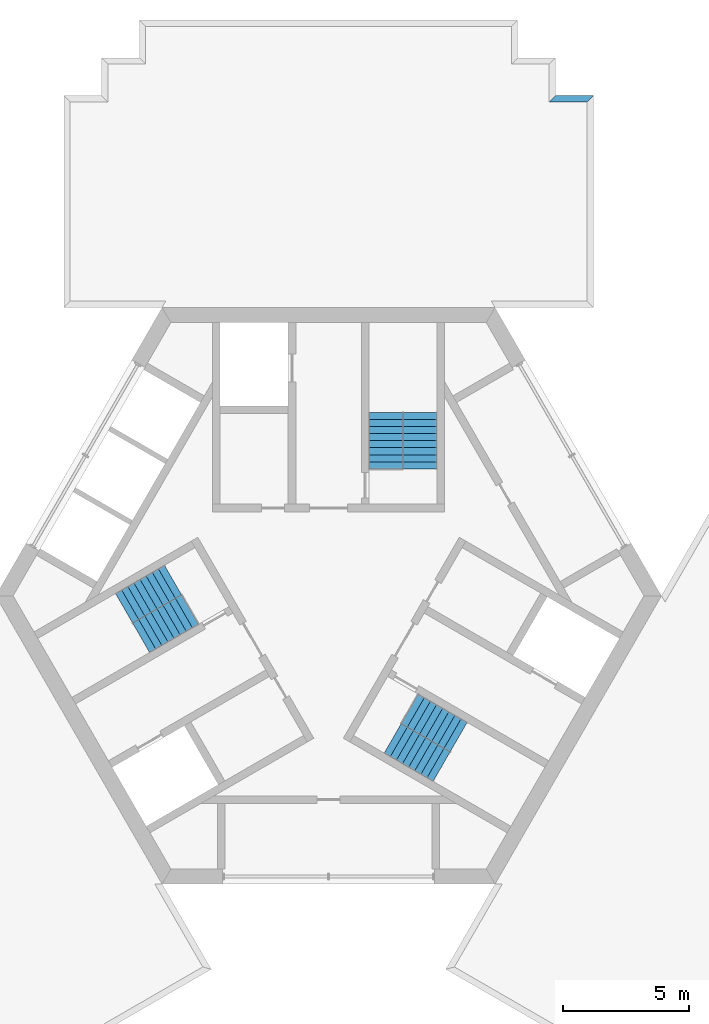
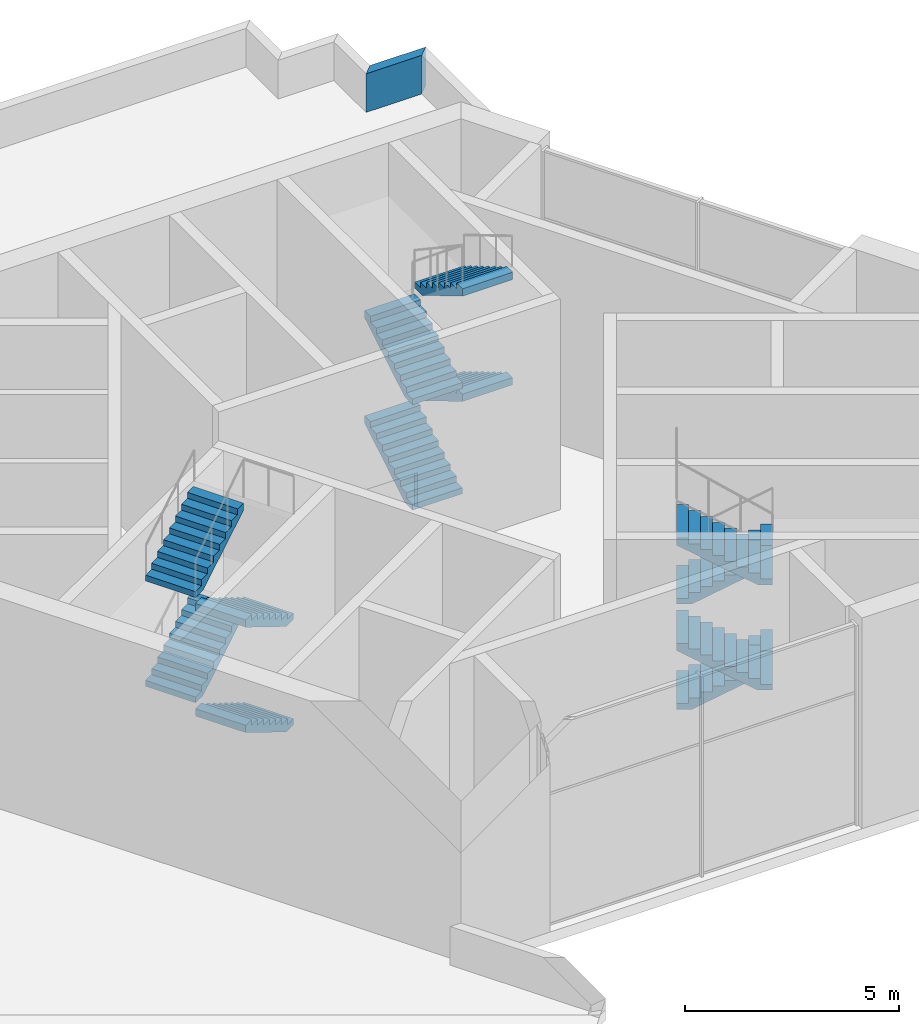
# One storey, part 4 of 5: 12 stair flights, 1 wall, 3 elements without a shape of their own.
"""IFC4 building model written with IfcOpenShell, lengths in metres."""

from ifc_helpers import new_model, si_unit, direction, frame, origin, place, context, subcontext, project, spatial, polyline, outline, extrude, material, layer, layer_set, type_object, element, aggregate, save


model = new_model("IFC4")

# Units and contexts
model_context = context("Model", 3, precision=1e-05, world=origin(), true_north=direction((0.0, 1.0)))
body_context = subcontext(model_context, "Body", "Model", "MODEL_VIEW")
ifc_project = project(units=[si_unit("LENGTHUNIT", "METRE"), si_unit("AREAUNIT", "SQUARE_METRE"), si_unit("VOLUMEUNIT", "CUBIC_METRE"), si_unit("PLANEANGLEUNIT", "RADIAN"), si_unit("MASSUNIT", "GRAM", prefix="KILO")], contexts=[model_context])

# Site, building, storey
site_placement = place(None, origin())
site = spatial("IfcSite", under=ifc_project, at=site_placement, CompositionType="ELEMENT")
building_placement = place(site_placement, origin())
building = spatial("IfcBuilding", under=site, at=building_placement, Name="Impinga Residences", CompositionType="ELEMENT")
storey_placement = place(building_placement, frame((0.0, 0.0, 295.75)))
storey = spatial("IfcBuildingStorey", under=building, at=storey_placement, Name="L74", CompositionType="ELEMENT", Elevation=295.75)

# Wall
ifc_material_1 = material(Name="Concrete C60/75", Category="concrete")
ifc_layer = layer(ifc_material_1, 0.25)
ifc_layer_set = layer_set([ifc_layer], Name="Concrete C60/75")
wall_type = type_object("IfcWallType", Name="PA1 roof parapet 250", PredefinedType="PARAPET", material=ifc_layer_set)
wall_placement = place(storey_placement, origin())
element("IfcWall", 1, at=wall_placement, inside=storey, type_object=wall_type, Name="Parapet PA1 L74", PredefinedType="PARAPET", context=body_context, shape_type="SweptSolid", body=[
    extrude(outline(polyline([(9.0, 19.83154296875), (10.5, 19.83154296875), (10.25, 19.58154296875), (8.75, 19.58154296875), (9.0, 19.83154296875)])), origin(), (0.0, 0.0, 1.0), 1.10009765625),
])

# Stair, stair flights
ifc_material_2 = material(Name="Concrete C40/50", Category="concrete")
stair_type = type_object("IfcStairType", Name="STR core stair 6000 storey, 36 risers", PredefinedType="HALF_TURN_STAIR", material=ifc_material_2)
stair_1_placement = place(storey_placement, origin())
stair_1 = element("IfcStair", 2, at=stair_1_placement, inside=storey, type_object=stair_type, Name="Stair ST1 L74", PredefinedType="HALF_TURN_STAIR")
stair_flight_type = type_object("IfcStairFlightType", Name="SF 9 risers of 167", PredefinedType="STRAIGHT", material=ifc_material_2)
stair_flight_1_placement = place(storey_placement, frame((2.27490234375, 5.030029296875, 0.0), z_axis=(0.0, 0.0, 1.0), x_axis=(0.0, 1.0, 0.0)))
stair_flight_1 = element("IfcStairFlight", 3, at=stair_flight_1_placement, type_object=stair_flight_type, Name="ST1 flight 1", NumberOfRisers=9, NumberOfTreads=8, PredefinedType="STRAIGHT", RiserHeight=0.166666667, TreadLength=0.28, context=body_context, shape_type="SweptSolid", body=[
    extrude(outline(polyline([(0.0, 0.0), (0.0, 0.166748046875), (0.280029296875, 0.166748046875), (0.280029296875, 0.333251953125), (0.56005859375, 0.333251953125), (0.56005859375, 0.5), (0.840087890625, 0.5), (0.840087890625, 0.666748046875), (1.1201171875, 0.666748046875), (1.1201171875, 0.833251953125), (1.39990234375, 0.833251953125), (1.39990234375, 1.0), (1.679931640625, 1.0), (1.679931640625, 1.166748046875), (1.9599609375, 1.166748046875), (1.9599609375, 1.333251953125), (2.239990234375, 1.333251953125), (2.239990234375, 1.5), (2.239990234375, 1.1240234375), (0.351806640625, 0.0), (0.0, 0.0)])), frame((0.0, 0.675048828125, 0.0), z_axis=(0.0, -1.0, 0.0), x_axis=(1.0, 0.0, 0.0)), (0.0, 0.0, 1.0), 1.35009765625),
])
stair_flight_2_placement = place(storey_placement, frame((3.625, 7.27001953125, 1.5), z_axis=(0.0, 0.0, 1.0), x_axis=(0.0, -1.0, 0.0)))
stair_flight_2 = element("IfcStairFlight", 4, at=stair_flight_2_placement, type_object=stair_flight_type, Name="ST1 flight 2", NumberOfRisers=9, NumberOfTreads=8, PredefinedType="STRAIGHT", RiserHeight=0.166666667, TreadLength=0.28, context=body_context, shape_type="SweptSolid", body=[
    extrude(outline(polyline([(0.0, 0.0), (0.0, 0.166748046875), (0.280029296875, 0.166748046875), (0.280029296875, 0.333251953125), (0.56005859375, 0.333251953125), (0.56005859375, 0.5), (0.840087890625, 0.5), (0.840087890625, 0.666748046875), (1.1201171875, 0.666748046875), (1.1201171875, 0.833251953125), (1.39990234375, 0.833251953125), (1.39990234375, 1.0), (1.679931640625, 1.0), (1.679931640625, 1.166748046875), (1.9599609375, 1.166748046875), (1.9599609375, 1.333251953125), (2.239990234375, 1.333251953125), (2.239990234375, 1.5), (2.239990234375, 1.1240234375), (0.351806640625, 0.0), (0.0, 0.0)])), frame((0.0, 0.675048828125, 0.0), z_axis=(0.0, -1.0, 0.0), x_axis=(1.0, 0.0, 0.0)), (0.0, 0.0, 1.0), 1.35009765625),
])
stair_flight_3_placement = place(storey_placement, frame((2.27490234375, 5.030029296875, 3.0), z_axis=(0.0, 0.0, 1.0), x_axis=(0.0, 1.0, 0.0)))
stair_flight_3 = element("IfcStairFlight", 5, at=stair_flight_3_placement, type_object=stair_flight_type, Name="ST1 flight 3", NumberOfRisers=9, NumberOfTreads=8, PredefinedType="STRAIGHT", RiserHeight=0.166666667, TreadLength=0.28, context=body_context, shape_type="SweptSolid", body=[
    extrude(outline(polyline([(0.0, 0.0), (0.0, 0.166748046875), (0.280029296875, 0.166748046875), (0.280029296875, 0.333251953125), (0.56005859375, 0.333251953125), (0.56005859375, 0.5), (0.840087890625, 0.5), (0.840087890625, 0.666748046875), (1.1201171875, 0.666748046875), (1.1201171875, 0.833251953125), (1.39990234375, 0.833251953125), (1.39990234375, 1.0), (1.679931640625, 1.0), (1.679931640625, 1.166748046875), (1.9599609375, 1.166748046875), (1.9599609375, 1.333251953125), (2.239990234375, 1.333251953125), (2.239990234375, 1.5), (2.239990234375, 1.1240234375), (0.351806640625, 0.0), (0.0, 0.0)])), frame((0.0, 0.675048828125, 0.0), z_axis=(0.0, -1.0, 0.0), x_axis=(1.0, 0.0, 0.0)), (0.0, 0.0, 1.0), 1.35009765625),
])
stair_flight_4_placement = place(storey_placement, frame((3.625, 7.27001953125, 4.5), z_axis=(0.0, 0.0, 1.0), x_axis=(0.0, -1.0, 0.0)))
stair_flight_4 = element("IfcStairFlight", 6, at=stair_flight_4_placement, type_object=stair_flight_type, Name="ST1 flight 4", NumberOfRisers=9, NumberOfTreads=8, PredefinedType="STRAIGHT", RiserHeight=0.166666667, TreadLength=0.28, context=body_context, shape_type="SweptSolid", body=[
    extrude(outline(polyline([(0.0, 0.0), (0.0, 0.166748046875), (0.280029296875, 0.166748046875), (0.280029296875, 0.333251953125), (0.56005859375, 0.333251953125), (0.56005859375, 0.5), (0.840087890625, 0.5), (0.840087890625, 0.666748046875), (1.1201171875, 0.666748046875), (1.1201171875, 0.833251953125), (1.39990234375, 0.833251953125), (1.39990234375, 1.0), (1.679931640625, 1.0), (1.679931640625, 1.166748046875), (1.9599609375, 1.166748046875), (1.9599609375, 1.333251953125), (2.239990234375, 1.333251953125), (2.239990234375, 1.5), (2.239990234375, 1.1240234375), (0.351806640625, 0.0), (0.0, 0.0)])), frame((0.0, 0.675048828125, 0.0), z_axis=(0.0, -1.0, 0.0), x_axis=(1.0, 0.0, 0.0)), (0.0, 0.0, 1.0), 1.35009765625),
])
aggregate(stair_1, [stair_flight_1, stair_flight_2, stair_flight_3, stair_flight_4])

stair_2_placement = place(storey_placement, origin())
stair_2 = element("IfcStair", 7, at=stair_2_placement, inside=storey, type_object=stair_type, Name="Stair ST2 L74", PredefinedType="HALF_TURN_STAIR")
stair_flight_5_placement = place(storey_placement, frame((-5.49365234375, -0.544677734375, 0.0), z_axis=(0.0, 0.0, 1.0), x_axis=(-0.866025403784, -0.5, 0.0)))
stair_flight_5 = element("IfcStairFlight", 8, at=stair_flight_5_placement, type_object=stair_flight_type, Name="ST2 flight 1", NumberOfRisers=9, NumberOfTreads=8, PredefinedType="STRAIGHT", RiserHeight=0.166666667, TreadLength=0.28, context=body_context, shape_type="SweptSolid", body=[
    extrude(outline(polyline([(0.0, 0.0), (0.0, 0.166748046875), (0.280029296875, 0.166748046875), (0.280029296875, 0.333251953125), (0.56005859375, 0.333251953125), (0.56005859375, 0.5), (0.840087890625, 0.5), (0.840087890625, 0.666748046875), (1.1201171875, 0.666748046875), (1.1201171875, 0.833251953125), (1.39990234375, 0.833251953125), (1.39990234375, 1.0), (1.679931640625, 1.0), (1.679931640625, 1.166748046875), (1.9599609375, 1.166748046875), (1.9599609375, 1.333251953125), (2.239990234375, 1.333251953125), (2.239990234375, 1.5), (2.239990234375, 1.1240234375), (0.351806640625, 0.0), (0.0, 0.0)])), frame((0.0, 0.675048828125, 0.0), z_axis=(0.0, -1.0, 0.0), x_axis=(1.0, 0.0, 0.0)), (0.0, 0.0, 1.0), 1.35009765625),
])
stair_flight_6_placement = place(storey_placement, frame((-8.1083984375, -0.49560546875, 1.5), z_axis=(0.0, 0.0, 1.0), x_axis=(0.866025403784, 0.5, 0.0)))
stair_flight_6 = element("IfcStairFlight", 9, at=stair_flight_6_placement, type_object=stair_flight_type, Name="ST2 flight 2", NumberOfRisers=9, NumberOfTreads=8, PredefinedType="STRAIGHT", RiserHeight=0.166666667, TreadLength=0.28, context=body_context, shape_type="SweptSolid", body=[
    extrude(outline(polyline([(0.0, 0.0), (0.0, 0.166748046875), (0.280029296875, 0.166748046875), (0.280029296875, 0.333251953125), (0.56005859375, 0.333251953125), (0.56005859375, 0.5), (0.840087890625, 0.5), (0.840087890625, 0.666748046875), (1.1201171875, 0.666748046875), (1.1201171875, 0.833251953125), (1.39990234375, 0.833251953125), (1.39990234375, 1.0), (1.679931640625, 1.0), (1.679931640625, 1.166748046875), (1.9599609375, 1.166748046875), (1.9599609375, 1.333251953125), (2.239990234375, 1.333251953125), (2.239990234375, 1.5), (2.239990234375, 1.1240234375), (0.351806640625, 0.0), (0.0, 0.0)])), frame((0.0, 0.675048828125, 0.0), z_axis=(0.0, -1.0, 0.0), x_axis=(1.0, 0.0, 0.0)), (0.0, 0.0, 1.0), 1.35009765625),
])
stair_flight_7_placement = place(storey_placement, frame((-5.49365234375, -0.544677734375, 3.0), z_axis=(0.0, 0.0, 1.0), x_axis=(-0.866025403784, -0.5, 0.0)))
stair_flight_7 = element("IfcStairFlight", 10, at=stair_flight_7_placement, type_object=stair_flight_type, Name="ST2 flight 3", NumberOfRisers=9, NumberOfTreads=8, PredefinedType="STRAIGHT", RiserHeight=0.166666667, TreadLength=0.28, context=body_context, shape_type="SweptSolid", body=[
    extrude(outline(polyline([(0.0, 0.0), (0.0, 0.166748046875), (0.280029296875, 0.166748046875), (0.280029296875, 0.333251953125), (0.56005859375, 0.333251953125), (0.56005859375, 0.5), (0.840087890625, 0.5), (0.840087890625, 0.666748046875), (1.1201171875, 0.666748046875), (1.1201171875, 0.833251953125), (1.39990234375, 0.833251953125), (1.39990234375, 1.0), (1.679931640625, 1.0), (1.679931640625, 1.166748046875), (1.9599609375, 1.166748046875), (1.9599609375, 1.333251953125), (2.239990234375, 1.333251953125), (2.239990234375, 1.5), (2.239990234375, 1.1240234375), (0.351806640625, 0.0), (0.0, 0.0)])), frame((0.0, 0.675048828125, 0.0), z_axis=(0.0, -1.0, 0.0), x_axis=(1.0, 0.0, 0.0)), (0.0, 0.0, 1.0), 1.35009765625),
])
stair_flight_8_placement = place(storey_placement, frame((-8.1083984375, -0.49560546875, 4.5), z_axis=(0.0, 0.0, 1.0), x_axis=(0.866025403784, 0.5, 0.0)))
stair_flight_8 = element("IfcStairFlight", 11, at=stair_flight_8_placement, type_object=stair_flight_type, Name="ST2 flight 4", NumberOfRisers=9, NumberOfTreads=8, PredefinedType="STRAIGHT", RiserHeight=0.166666667, TreadLength=0.28, context=body_context, shape_type="SweptSolid", body=[
    extrude(outline(polyline([(0.0, 0.0), (0.0, 0.166748046875), (0.280029296875, 0.166748046875), (0.280029296875, 0.333251953125), (0.56005859375, 0.333251953125), (0.56005859375, 0.5), (0.840087890625, 0.5), (0.840087890625, 0.666748046875), (1.1201171875, 0.666748046875), (1.1201171875, 0.833251953125), (1.39990234375, 0.833251953125), (1.39990234375, 1.0), (1.679931640625, 1.0), (1.679931640625, 1.166748046875), (1.9599609375, 1.166748046875), (1.9599609375, 1.333251953125), (2.239990234375, 1.333251953125), (2.239990234375, 1.5), (2.239990234375, 1.1240234375), (0.351806640625, 0.0), (0.0, 0.0)])), frame((0.0, 0.675048828125, 0.0), z_axis=(0.0, -1.0, 0.0), x_axis=(1.0, 0.0, 0.0)), (0.0, 0.0, 1.0), 1.35009765625),
])
aggregate(stair_2, [stair_flight_5, stair_flight_6, stair_flight_7, stair_flight_8])

stair_3_placement = place(storey_placement, origin())
stair_3 = element("IfcStair", 12, at=stair_3_placement, inside=storey, type_object=stair_type, Name="Stair ST3 L74", PredefinedType="HALF_TURN_STAIR")
stair_flight_9_placement = place(storey_placement, frame((3.218505859375, -4.485107421875, 0.0), z_axis=(0.0, 0.0, 1.0), x_axis=(0.866025403784, -0.5, 0.0)))
stair_flight_9 = element("IfcStairFlight", 13, at=stair_flight_9_placement, type_object=stair_flight_type, Name="ST3 flight 1", NumberOfRisers=9, NumberOfTreads=8, PredefinedType="STRAIGHT", RiserHeight=0.166666667, TreadLength=0.28, context=body_context, shape_type="SweptSolid", body=[
    extrude(outline(polyline([(0.0, 0.0), (0.0, 0.166748046875), (0.280029296875, 0.166748046875), (0.280029296875, 0.333251953125), (0.56005859375, 0.333251953125), (0.56005859375, 0.5), (0.840087890625, 0.5), (0.840087890625, 0.666748046875), (1.1201171875, 0.666748046875), (1.1201171875, 0.833251953125), (1.39990234375, 0.833251953125), (1.39990234375, 1.0), (1.679931640625, 1.0), (1.679931640625, 1.166748046875), (1.9599609375, 1.166748046875), (1.9599609375, 1.333251953125), (2.239990234375, 1.333251953125), (2.239990234375, 1.5), (2.239990234375, 1.1240234375), (0.351806640625, 0.0), (0.0, 0.0)])), frame((0.0, 0.675048828125, 0.0), z_axis=(0.0, -1.0, 0.0), x_axis=(1.0, 0.0, 0.0)), (0.0, 0.0, 1.0), 1.35009765625),
])
stair_flight_10_placement = place(storey_placement, frame((4.4833984375, -6.7744140625, 1.5), z_axis=(0.0, 0.0, 1.0), x_axis=(-0.866025403784, 0.5, 0.0)))
stair_flight_10 = element("IfcStairFlight", 14, at=stair_flight_10_placement, type_object=stair_flight_type, Name="ST3 flight 2", NumberOfRisers=9, NumberOfTreads=8, PredefinedType="STRAIGHT", RiserHeight=0.166666667, TreadLength=0.28, context=body_context, shape_type="SweptSolid", body=[
    extrude(outline(polyline([(0.0, 0.0), (0.0, 0.166748046875), (0.280029296875, 0.166748046875), (0.280029296875, 0.333251953125), (0.56005859375, 0.333251953125), (0.56005859375, 0.5), (0.840087890625, 0.5), (0.840087890625, 0.666748046875), (1.1201171875, 0.666748046875), (1.1201171875, 0.833251953125), (1.39990234375, 0.833251953125), (1.39990234375, 1.0), (1.679931640625, 1.0), (1.679931640625, 1.166748046875), (1.9599609375, 1.166748046875), (1.9599609375, 1.333251953125), (2.239990234375, 1.333251953125), (2.239990234375, 1.5), (2.239990234375, 1.1240234375), (0.351806640625, 0.0), (0.0, 0.0)])), frame((0.0, 0.675048828125, 0.0), z_axis=(0.0, -1.0, 0.0), x_axis=(1.0, 0.0, 0.0)), (0.0, 0.0, 1.0), 1.35009765625),
])
stair_flight_11_placement = place(storey_placement, frame((3.218505859375, -4.485107421875, 3.0), z_axis=(0.0, 0.0, 1.0), x_axis=(0.866025403784, -0.5, 0.0)))
stair_flight_11 = element("IfcStairFlight", 15, at=stair_flight_11_placement, type_object=stair_flight_type, Name="ST3 flight 3", NumberOfRisers=9, NumberOfTreads=8, PredefinedType="STRAIGHT", RiserHeight=0.166666667, TreadLength=0.28, context=body_context, shape_type="SweptSolid", body=[
    extrude(outline(polyline([(0.0, 0.0), (0.0, 0.166748046875), (0.280029296875, 0.166748046875), (0.280029296875, 0.333251953125), (0.56005859375, 0.333251953125), (0.56005859375, 0.5), (0.840087890625, 0.5), (0.840087890625, 0.666748046875), (1.1201171875, 0.666748046875), (1.1201171875, 0.833251953125), (1.39990234375, 0.833251953125), (1.39990234375, 1.0), (1.679931640625, 1.0), (1.679931640625, 1.166748046875), (1.9599609375, 1.166748046875), (1.9599609375, 1.333251953125), (2.239990234375, 1.333251953125), (2.239990234375, 1.5), (2.239990234375, 1.1240234375), (0.351806640625, 0.0), (0.0, 0.0)])), frame((0.0, 0.675048828125, 0.0), z_axis=(0.0, -1.0, 0.0), x_axis=(1.0, 0.0, 0.0)), (0.0, 0.0, 1.0), 1.35009765625),
])
stair_flight_12_placement = place(storey_placement, frame((4.4833984375, -6.7744140625, 4.5), z_axis=(0.0, 0.0, 1.0), x_axis=(-0.866025403784, 0.5, 0.0)))
stair_flight_12 = element("IfcStairFlight", 16, at=stair_flight_12_placement, type_object=stair_flight_type, Name="ST3 flight 4", NumberOfRisers=9, NumberOfTreads=8, PredefinedType="STRAIGHT", RiserHeight=0.166666667, TreadLength=0.28, context=body_context, shape_type="SweptSolid", body=[
    extrude(outline(polyline([(0.0, 0.0), (0.0, 0.166748046875), (0.280029296875, 0.166748046875), (0.280029296875, 0.333251953125), (0.56005859375, 0.333251953125), (0.56005859375, 0.5), (0.840087890625, 0.5), (0.840087890625, 0.666748046875), (1.1201171875, 0.666748046875), (1.1201171875, 0.833251953125), (1.39990234375, 0.833251953125), (1.39990234375, 1.0), (1.679931640625, 1.0), (1.679931640625, 1.166748046875), (1.9599609375, 1.166748046875), (1.9599609375, 1.333251953125), (2.239990234375, 1.333251953125), (2.239990234375, 1.5), (2.239990234375, 1.1240234375), (0.351806640625, 0.0), (0.0, 0.0)])), frame((0.0, 0.675048828125, 0.0), z_axis=(0.0, -1.0, 0.0), x_axis=(1.0, 0.0, 0.0)), (0.0, 0.0, 1.0), 1.35009765625),
])
aggregate(stair_3, [stair_flight_9, stair_flight_10, stair_flight_11, stair_flight_12])

save(model, "model.ifc")
